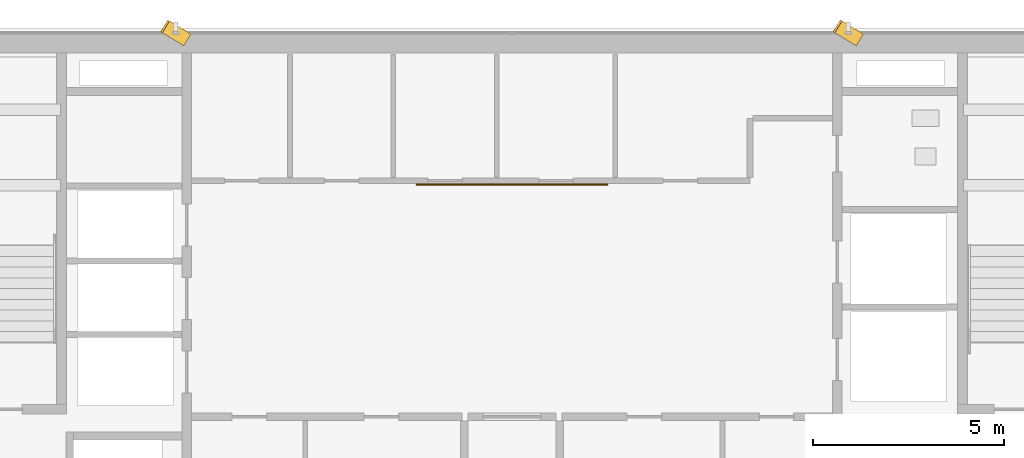
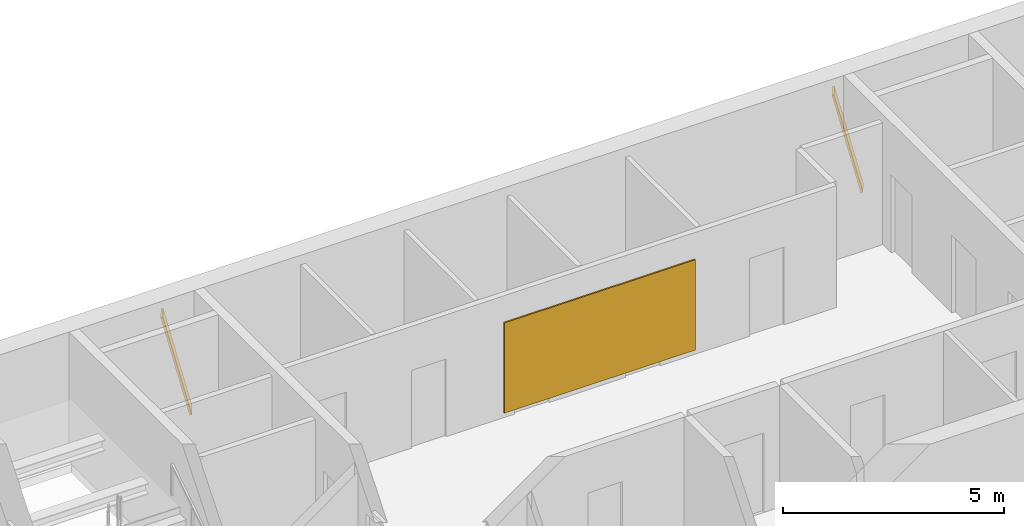
# One storey, part 21 of 22: 2 shading devices, 1 covering.
"""IFC4 building model written with IfcOpenShell, lengths in metres."""

from ifc_helpers import new_model, si_unit, direction, frame, origin, origin_2d, place, context, subcontext, project, spatial, rectangle, extrude, source, transform, mapped, material, layer, layer_set, material_profile, profile_set, type_object, element, save


model = new_model("IFC4")

# Units and contexts
model_context = context("Model", 3, precision=1e-05, world=origin(), true_north=direction((0.0, 1.0)))
body_context = subcontext(model_context, "Body", "Model", "MODEL_VIEW")
ifc_project = project(units=[si_unit("LENGTHUNIT", "METRE"), si_unit("AREAUNIT", "SQUARE_METRE"), si_unit("VOLUMEUNIT", "CUBIC_METRE"), si_unit("PLANEANGLEUNIT", "RADIAN"), si_unit("MASSUNIT", "GRAM", prefix="KILO")], contexts=[model_context])

# Site, building, storey
site_placement = place(None, origin())
site = spatial("IfcSite", under=ifc_project, at=site_placement, CompositionType="ELEMENT")
building_placement = place(site_placement, origin())
building = spatial("IfcBuilding", under=site, at=building_placement, Name="Sumidabori Civic Tower", CompositionType="ELEMENT")
storey_placement = place(building_placement, frame((0.0, 0.0, 286.39990234375)))
storey = spatial("IfcBuildingStorey", under=building, at=storey_placement, Name="L75", CompositionType="ELEMENT", Elevation=286.39990234375)

# Shading devices
ifc_material_1 = material(Name="Anodised Bronze Aluminium AW-6063-T6", Category="aluminium")
ifc_material_profile = material_profile(ifc_material_1, rectangle(XDim=0.054931640625, YDim=0.360107421875, at=origin_2d()), Name="BRONZE FIN 360x55")
ifc_profile_set = profile_set([ifc_material_profile], Name="Anodised Bronze Aluminium AW-6063-T6")
shading_device_type = type_object("IfcShadingDeviceType", Name="SH-FIN-360", PredefinedType="USERDEFINED", material=ifc_profile_set)
shared_shape_1 = source(origin(), body_context, "Body", "SweptSolid", [
    extrude(rectangle(XDim=0.054931640625, YDim=0.360107421875, at=origin_2d()), origin(), (0.0, 0.0, 1.0), 2.768798828125),
])
for number, where, z_axis, x_axis, name in (
    (1, (9.06494140625, 23.909912109375, 0.02001953125), (-0.202272600211, 0.122827258978, 0.971596243126), (0.830473922694, -0.504293885925, 0.236644755582), "Bronze Anodised Diagonal Fin L75-01"),
    (2, (-8.5048828125, 23.909912109375, 0.02001953125), (-0.202272600211, 0.122827258978, 0.971596243126), (0.830473922694, -0.504293885925, 0.236644755582), "Bronze Anodised Diagonal Fin L75-03"),
):
    element("IfcShadingDevice", number, at=place(storey_placement, frame(where, z_axis=z_axis, x_axis=x_axis)), inside=storey, type_object=shading_device_type, Name=name, ObjectType="FIN", PredefinedType="USERDEFINED", context=body_context, shape_type="MappedRepresentation", body=[
        mapped(shared_shape_1, transform((0.0, 0.0, 0.0), x_axis=(1.0, 0.0, 0.0), y_axis=(0.0, 1.0, 0.0), z_axis=(0.0, 0.0, 1.0), scale=1.0)),
    ])

# Covering
ifc_material_2 = material(Name="Anodised Bronze Aluminium Core Cladding", Category="aluminium")
ifc_layer = layer(ifc_material_2, 0.0400390625, Name="Anodised Bronze Aluminium Core Cladding")
ifc_layer_set = layer_set([ifc_layer], Name="Anodised Bronze Aluminium Core Cladding")
covering_type = type_object("IfcCoveringType", Name="CV-CLAD-BRZ", PredefinedType="CLADDING", material=ifc_layer_set)
shared_shape_2 = source(origin(), body_context, "Body", "SweptSolid", [
    extrude(rectangle(XDim=5.0, YDim=0.0400390625, at=origin_2d()), origin(), (0.0, 0.0, 1.0), 2.5),
])
covering_placement = place(storey_placement, frame((0.0, 20.1201171875, 0.150146484375), z_axis=(0.0, 0.0, 1.0), x_axis=(1.0, 0.0, 0.0)))
element("IfcCovering", 3, at=covering_placement, inside=storey, type_object=covering_type, Name="Bronze Core Lobby Feature Cladding L75", PredefinedType="CLADDING", context=body_context, shape_type="MappedRepresentation", body=[
    mapped(shared_shape_2, transform((0.0, 0.0, 0.0), x_axis=(1.0, 0.0, 0.0), y_axis=(0.0, 1.0, 0.0), z_axis=(0.0, 0.0, 1.0), scale=1.0)),
])

save(model, "model.ifc")
